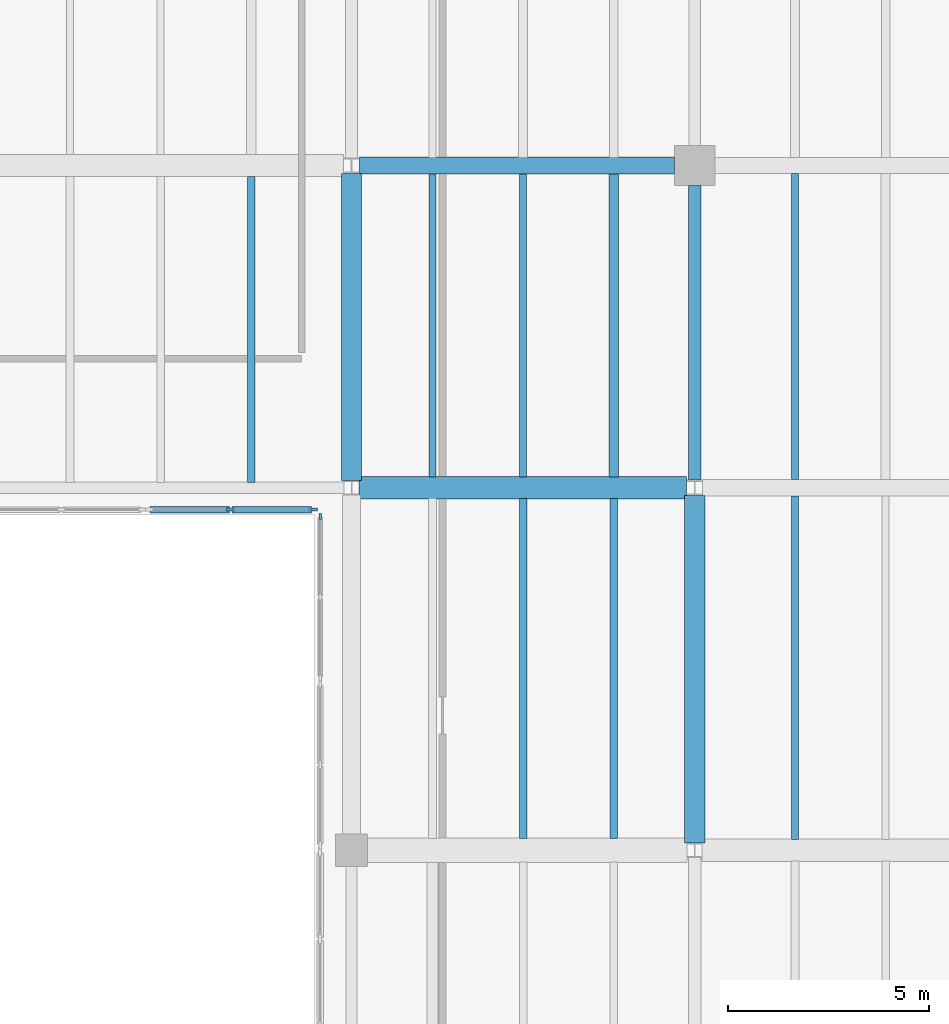
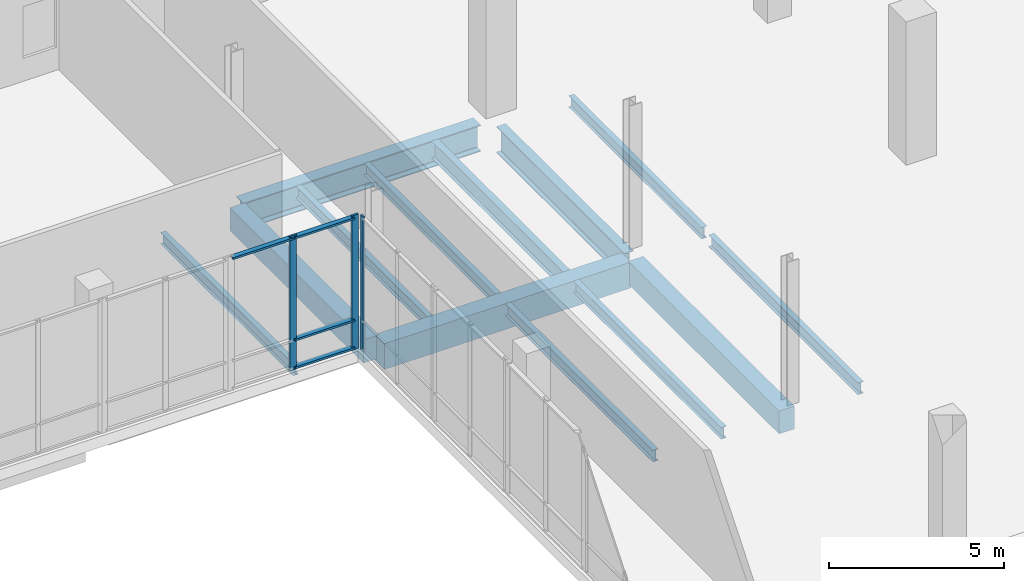
# One storey, part 58 of 88: 13 beams, 7 members, 2 elements without a shape of their own.
"""IFC4 building model written with IfcOpenShell, lengths in metres."""

from ifc_helpers import new_model, si_unit, direction, frame, origin, origin_2d, place, context, subcontext, project, spatial, rectangle, i_section, extrude, material, material_profile, profile_set, type_object, element, aggregate, save


model = new_model("IFC4")

# Units and contexts
model_context = context("Model", 3, precision=1e-05, world=origin(), true_north=direction((0.0, 1.0)))
body_context = subcontext(model_context, "Body", "Model", "MODEL_VIEW")
ifc_project = project(units=[si_unit("LENGTHUNIT", "METRE"), si_unit("AREAUNIT", "SQUARE_METRE"), si_unit("VOLUMEUNIT", "CUBIC_METRE"), si_unit("PLANEANGLEUNIT", "RADIAN"), si_unit("MASSUNIT", "GRAM", prefix="KILO")], contexts=[model_context])

# Site, building, storey
site_placement = place(None, origin())
site = spatial("IfcSite", under=ifc_project, at=site_placement, CompositionType="ELEMENT")
building_placement = place(site_placement, origin())
building = spatial("IfcBuilding", under=site, at=building_placement, Name="Trimount Lyric Opera House", CompositionType="ELEMENT")
storey_placement = place(building_placement, origin())
storey = spatial("IfcBuildingStorey", under=building, at=storey_placement, Name="L00", CompositionType="ELEMENT", Elevation=0.0)

# Beams
ifc_material_1 = material(Name="Steel ASTM A992 Grade 50", Category="steel")
ifc_material_profile_1 = material_profile(ifc_material_1, i_section(OverallWidth=0.4189453125, OverallDepth=0.927001953125, WebThickness=0.019287109375, FlangeThickness=0.031982421875, FilletRadius=0.02392578125, at=origin_2d()), Name="W36X231")
ifc_profile_set_1 = profile_set([ifc_material_profile_1], Name="Steel ASTM A992 Grade 50")
beam_type_1 = type_object("IfcBeamType", Name="B-02", PredefinedType="BEAM", material=ifc_profile_set_1)
beam_1_placement = place(storey_placement, frame((148.439453125, 110.0, -0.843505859375), z_axis=(1.0, 0.0, 0.0), x_axis=(0.0, 1.0, 0.0)))
element("IfcBeam", 1, at=beam_1_placement, inside=storey, type_object=beam_type_1, Name="L00 girder X-0215", PredefinedType="BEAM", context=body_context, shape_type="SweptSolid", body=[
    extrude(i_section(OverallWidth=0.4189453125, OverallDepth=0.927001953125, WebThickness=0.019287109375, FlangeThickness=0.031982421875, FilletRadius=0.02392578125, at=origin_2d()), origin(), (0.0, 0.0, 1.0), 7.820556640625),
])
ifc_material_2 = material(Name="Steel ASTM A992 Grade 50", Category="steel")
ifc_material_profile_2 = material_profile(ifc_material_2, i_section(OverallWidth=0.304931640625, OverallDepth=0.9189453125, WebThickness=0.017333984375, FlangeThickness=0.02783203125, FilletRadius=0.02001953125, at=origin_2d()), Name="W36X170")
ifc_profile_set_2 = profile_set([ifc_material_profile_2], Name="Steel ASTM A992 Grade 50")
beam_type_2 = type_object("IfcBeamType", Name="B-03", PredefinedType="BEAM", material=ifc_profile_set_2)
beam_2_placement = place(storey_placement, frame((156.760009765625, 102.193115234375, -0.839599609375), z_axis=(0.0, 1.0, 0.0), x_axis=(-1.0, 0.0, 0.0)))
element("IfcBeam", 2, at=beam_2_placement, inside=storey, type_object=beam_type_2, Name="L00 girder Y-0437", PredefinedType="BEAM", context=body_context, shape_type="SweptSolid", body=[
    extrude(i_section(OverallWidth=0.304931640625, OverallDepth=0.9189453125, WebThickness=0.017333984375, FlangeThickness=0.02783203125, FilletRadius=0.02001953125, at=origin_2d()), origin(), (0.0, 0.0, 1.0), 7.306884765625),
])
ifc_material_3 = material(Name="Concrete C40/50", Category="concrete")
ifc_material_profile_3 = material_profile(ifc_material_3, rectangle(XDim=0.550048828125, YDim=0.89990234375, at=origin_2d()), Name="RC550X900")
ifc_profile_set_3 = profile_set([ifc_material_profile_3], Name="Concrete C40/50")
beam_type_3 = type_object("IfcBeamType", Name="B-14", PredefinedType="BEAM", material=ifc_profile_set_3)
beam_3_placement = place(storey_placement, frame((148.426513671875, 102.0, -0.830078125), z_axis=(1.0, 0.0, 0.0), x_axis=(0.0, 1.0, 0.0)))
element("IfcBeam", 3, at=beam_3_placement, inside=storey, type_object=beam_type_3, Name="L00 girder X-0202", PredefinedType="BEAM", context=body_context, shape_type="SweptSolid", body=[
    extrude(rectangle(XDim=0.550048828125, YDim=0.89990234375, at=origin_2d()), origin(), (0.0, 0.0, 1.0), 8.134033203125),
])
ifc_material_4 = material(Name="Concrete C40/50", Category="concrete")
ifc_material_profile_4 = material_profile(ifc_material_4, rectangle(XDim=0.5, YDim=0.800048828125, at=origin_2d()), Name="RC500X800")
ifc_profile_set_4 = profile_set([ifc_material_profile_4], Name="Concrete C40/50")
beam_type_4 = type_object("IfcBeamType", Name="B-15", PredefinedType="BEAM", material=ifc_profile_set_4)
beam_4_placement = place(storey_placement, frame((148.239990234375, 102.18408203125, -0.780029296875), z_axis=(0.0, 1.0, 0.0), x_axis=(-1.0, 0.0, 0.0)))
element("IfcBeam", 4, at=beam_4_placement, inside=storey, type_object=beam_type_4, Name="L00 girder Y-0425", PredefinedType="BEAM", context=body_context, shape_type="SweptSolid", body=[
    extrude(rectangle(XDim=0.5, YDim=0.800048828125, at=origin_2d()), origin(), (0.0, 0.0, 1.0), 7.622802734375),
])
beam_5_placement = place(storey_placement, frame((156.760009765625, 93.18408203125, -0.780029296875), z_axis=(0.0, 1.0, 0.0), x_axis=(-1.0, 0.0, 0.0)))
element("IfcBeam", 5, at=beam_5_placement, inside=storey, type_object=beam_type_4, Name="L00 girder Y-0436", PredefinedType="BEAM", context=body_context, shape_type="SweptSolid", body=[
    extrude(rectangle(XDim=0.5, YDim=0.800048828125, at=origin_2d()), origin(), (0.0, 0.0, 1.0), 8.622802734375),
])
ifc_material_5 = material(Name="Steel ASTM A992 Grade 50", Category="steel")
ifc_material_profile_5 = material_profile(ifc_material_5, i_section(OverallWidth=0.22802734375, OverallDepth=0.60205078125, WebThickness=0.010498046875, FlangeThickness=0.014892578125, FilletRadius=0.012939453125, at=origin_2d()), Name="W24X68")
ifc_profile_set_5 = profile_set([ifc_material_profile_5], Name="Steel ASTM A992 Grade 50")
beam_type_5 = type_object("IfcBeamType", Name="J-01", PredefinedType="BEAM", material=ifc_profile_set_5)
beam_6_placement = place(storey_placement, frame((154.75, 102.27099609375, -0.680908203125), z_axis=(0.0, 1.0, 0.0), x_axis=(-1.0, 0.0, 0.0)))
element("IfcBeam", 6, at=beam_6_placement, inside=storey, type_object=beam_type_5, Name="L00 composite floor joist 0490", PredefinedType="BEAM", context=body_context, shape_type="SweptSolid", body=[
    extrude(i_section(OverallWidth=0.22802734375, OverallDepth=0.60205078125, WebThickness=0.010498046875, FlangeThickness=0.014892578125, FilletRadius=0.012939453125, at=origin_2d()), origin(), (0.0, 0.0, 1.0), 7.5234375),
])
ifc_material_6 = material(Name="Steel ASTM A992 Grade 50", Category="steel")
ifc_material_profile_6 = material_profile(ifc_material_6, i_section(OverallWidth=0.180908203125, OverallDepth=0.4169921875, WebThickness=0.010986328125, FlangeThickness=0.018310546875, FilletRadius=0.010986328125, at=origin_2d()), Name="W16X57")
ifc_profile_set_6 = profile_set([ifc_material_profile_6], Name="Steel ASTM A992 Grade 50")
beam_type_6 = type_object("IfcBeamType", Name="J-05", PredefinedType="BEAM", material=ifc_profile_set_6)
beam_7_placement = place(storey_placement, frame((152.5, 93.2958984375, -0.58837890625), z_axis=(0.0, 1.0, 0.0), x_axis=(-1.0, 0.0, 0.0)))
element("IfcBeam", 7, at=beam_7_placement, inside=storey, type_object=beam_type_6, Name="L00 composite floor joist 0486", PredefinedType="BEAM", context=body_context, shape_type="SweptSolid", body=[
    extrude(i_section(OverallWidth=0.180908203125, OverallDepth=0.4169921875, WebThickness=0.010986328125, FlangeThickness=0.018310546875, FilletRadius=0.010986328125, at=origin_2d()), origin(), (0.0, 0.0, 1.0), 8.43310546875),
])
beam_8_placement = place(storey_placement, frame((150.25, 102.27099609375, -0.58837890625), z_axis=(0.0, 1.0, 0.0), x_axis=(-1.0, 0.0, 0.0)))
element("IfcBeam", 8, at=beam_8_placement, inside=storey, type_object=beam_type_6, Name="L00 composite floor joist 0488", PredefinedType="BEAM", context=body_context, shape_type="SweptSolid", body=[
    extrude(i_section(OverallWidth=0.180908203125, OverallDepth=0.4169921875, WebThickness=0.010986328125, FlangeThickness=0.018310546875, FilletRadius=0.010986328125, at=origin_2d()), origin(), (0.0, 0.0, 1.0), 7.5234375),
])
beam_9_placement = place(storey_placement, frame((159.25, 93.27099609375, -0.58837890625), z_axis=(0.0, 1.0, 0.0), x_axis=(-1.0, 0.0, 0.0)))
element("IfcBeam", 9, at=beam_9_placement, inside=storey, type_object=beam_type_6, Name="L00 composite floor joist 0524", PredefinedType="BEAM", context=body_context, shape_type="SweptSolid", body=[
    extrude(i_section(OverallWidth=0.180908203125, OverallDepth=0.4169921875, WebThickness=0.010986328125, FlangeThickness=0.018310546875, FilletRadius=0.010986328125, at=origin_2d()), origin(), (0.0, 0.0, 1.0), 8.5234375),
])
ifc_material_7 = material(Name="Steel ASTM A992 Grade 50", Category="steel")
ifc_material_profile_7 = material_profile(ifc_material_7, i_section(OverallWidth=0.177978515625, OverallDepth=0.404052734375, WebThickness=0.007568359375, FlangeThickness=0.010986328125, FilletRadius=0.010009765625, at=origin_2d()), Name="W16X36")
ifc_profile_set_7 = profile_set([ifc_material_profile_7], Name="Steel ASTM A992 Grade 50")
beam_type_7 = type_object("IfcBeamType", Name="J-06", PredefinedType="BEAM", material=ifc_profile_set_7)
beam_10_placement = place(storey_placement, frame((145.75, 102.136962890625, -0.58203125), z_axis=(0.0, 1.0, 0.0), x_axis=(-1.0, 0.0, 0.0)))
element("IfcBeam", 10, at=beam_10_placement, inside=storey, type_object=beam_type_7, Name="L00 composite floor joist 0454", PredefinedType="BEAM", context=body_context, shape_type="SweptSolid", body=[
    extrude(i_section(OverallWidth=0.177978515625, OverallDepth=0.404052734375, WebThickness=0.007568359375, FlangeThickness=0.010986328125, FilletRadius=0.010009765625, at=origin_2d()), origin(), (0.0, 0.0, 1.0), 7.592041015625),
])
beam_11_placement = place(storey_placement, frame((154.75, 93.2958984375, -0.58203125), z_axis=(0.0, 1.0, 0.0), x_axis=(-1.0, 0.0, 0.0)))
element("IfcBeam", 11, at=beam_11_placement, inside=storey, type_object=beam_type_7, Name="L00 composite floor joist 0487", PredefinedType="BEAM", context=body_context, shape_type="SweptSolid", body=[
    extrude(i_section(OverallWidth=0.177978515625, OverallDepth=0.404052734375, WebThickness=0.007568359375, FlangeThickness=0.010986328125, FilletRadius=0.010009765625, at=origin_2d()), origin(), (0.0, 0.0, 1.0), 8.43310546875),
])
beam_12_placement = place(storey_placement, frame((152.5, 102.27099609375, -0.58203125), z_axis=(0.0, 1.0, 0.0), x_axis=(-1.0, 0.0, 0.0)))
element("IfcBeam", 12, at=beam_12_placement, inside=storey, type_object=beam_type_7, Name="L00 composite floor joist 0489", PredefinedType="BEAM", context=body_context, shape_type="SweptSolid", body=[
    extrude(i_section(OverallWidth=0.177978515625, OverallDepth=0.404052734375, WebThickness=0.007568359375, FlangeThickness=0.010986328125, FilletRadius=0.010009765625, at=origin_2d()), origin(), (0.0, 0.0, 1.0), 7.5234375),
])
beam_13_placement = place(storey_placement, frame((159.25, 102.20556640625, -0.58203125), z_axis=(0.0, 1.0, 0.0), x_axis=(-1.0, 0.0, 0.0)))
element("IfcBeam", 13, at=beam_13_placement, inside=storey, type_object=beam_type_7, Name="L00 composite floor joist 0527", PredefinedType="BEAM", context=body_context, shape_type="SweptSolid", body=[
    extrude(i_section(OverallWidth=0.177978515625, OverallDepth=0.404052734375, WebThickness=0.007568359375, FlangeThickness=0.010986328125, FilletRadius=0.010009765625, at=origin_2d()), origin(), (0.0, 0.0, 1.0), 7.597900390625),
])

# Curtain wall, members
ifc_material_8 = material(Name="Thermally Broken Aluminium and Low-E Glass", Category="aluminium")
curtain_wall_type = type_object("IfcCurtainWallType", Name="CW-03", PredefinedType="NOTDEFINED", material=ifc_material_8)
curtain_wall_1_placement = place(storey_placement, origin())
curtain_wall_1 = element("IfcCurtainWall", 14, at=curtain_wall_1_placement, inside=storey, type_object=curtain_wall_type, Name="L00 curtain wall 048", PredefinedType="NOTDEFINED")
ifc_material_9 = material(Name="Anodised Aluminium 6063-T6", Category="aluminium")
ifc_material_profile_8 = material_profile(ifc_material_9, rectangle(XDim=0.070068359375, YDim=0.219970703125, at=origin_2d()), Name="ALU-MULL-70X220")
ifc_profile_set_8 = profile_set([ifc_material_profile_8], Name="Anodised Aluminium 6063-T6")
member_type_1 = type_object("IfcMemberType", Name="ML-01", PredefinedType="MULLION", material=ifc_profile_set_8)
member_1_placement = place(storey_placement, frame((147.284912109375, 101.4599609375, 0.0), z_axis=(0.0, 0.0, 1.0), x_axis=(0.0, -1.0, 0.0)))
member_1 = element("IfcMember", 15, at=member_1_placement, type_object=member_type_1, Name="CW-03 mullion 1", PredefinedType="MULLION", context=body_context, shape_type="SweptSolid", body=[
    extrude(rectangle(XDim=0.070068359375, YDim=0.219970703125, at=origin_2d()), origin(), (0.0, 0.0, 1.0), 4.68994140625),
])
member_2_placement = place(storey_placement, frame((145.239990234375, 101.4599609375, 0.0), z_axis=(0.0, 0.0, 1.0), x_axis=(0.0, -1.0, 0.0)))
member_2 = element("IfcMember", 16, at=member_2_placement, type_object=member_type_1, Name="CW-03 mullion 2", PredefinedType="MULLION", context=body_context, shape_type="SweptSolid", body=[
    extrude(rectangle(XDim=0.070068359375, YDim=0.219970703125, at=origin_2d()), origin(), (0.0, 0.0, 1.0), 4.68994140625),
])

# Curtain wall, member
curtain_wall_2_placement = place(storey_placement, origin())
curtain_wall_2 = element("IfcCurtainWall", 17, at=curtain_wall_2_placement, inside=storey, type_object=curtain_wall_type, Name="L00 curtain wall 047", PredefinedType="NOTDEFINED")
ifc_material_10 = material(Name="Anodised Aluminium 6063-T6", Category="aluminium")
ifc_material_profile_9 = material_profile(ifc_material_10, rectangle(XDim=0.06005859375, YDim=0.14990234375, at=origin_2d()), Name="ALU-MULL-60X150")
ifc_profile_set_9 = profile_set([ifc_material_profile_9], Name="Anodised Aluminium 6063-T6")
member_type_2 = type_object("IfcMemberType", Name="ML-03", PredefinedType="MULLION", material=ifc_profile_set_9)
member_3_placement = place(storey_placement, frame((147.4599609375, 101.2900390625, 0.0), z_axis=(0.0, 0.0, 1.0), x_axis=(-1.0, 0.0, 0.0)))
member_3 = element("IfcMember", 18, at=member_3_placement, type_object=member_type_2, Name="CW-03 mullion 3", PredefinedType="MULLION", context=body_context, shape_type="SweptSolid", body=[
    extrude(rectangle(XDim=0.06005859375, YDim=0.14990234375, at=origin_2d()), origin(), (0.0, 0.0, 1.0), 4.68994140625),
])
aggregate(curtain_wall_2, [member_3])

# Member
ifc_material_11 = material(Name="Anodised Aluminium 6063-T6", Category="aluminium")
ifc_material_profile_10 = material_profile(ifc_material_11, rectangle(XDim=0.159912109375, YDim=0.070068359375, at=origin_2d()), Name="ALU-TRAN-70X160")
ifc_profile_set_10 = profile_set([ifc_material_profile_10], Name="Anodised Aluminium 6063-T6")
member_type_3 = type_object("IfcMemberType", Name="TR-01", PredefinedType="USERDEFINED", material=ifc_profile_set_10)
member_4_placement = place(storey_placement, frame((147.25, 101.4599609375, 0.080078125), z_axis=(-1.0, 0.0, 0.0), x_axis=(0.0, -1.0, 0.0)))
member_4 = element("IfcMember", 19, at=member_4_placement, type_object=member_type_3, Name="CW-03 transom 1.1", ObjectType="TRANSOM", PredefinedType="USERDEFINED", context=body_context, shape_type="SweptSolid", body=[
    extrude(rectangle(XDim=0.159912109375, YDim=0.070068359375, at=origin_2d()), origin(), (0.0, 0.0, 1.0), 1.97509765625),
])

member_5_placement = place(storey_placement, frame((147.25, 101.4599609375, 1.050048828125), z_axis=(-1.0, 0.0, 0.0), x_axis=(0.0, -1.0, 0.0)))
member_5 = element("IfcMember", 20, at=member_5_placement, type_object=member_type_3, Name="CW-03 transom 1.2", ObjectType="TRANSOM", PredefinedType="USERDEFINED", context=body_context, shape_type="SweptSolid", body=[
    extrude(rectangle(XDim=0.159912109375, YDim=0.070068359375, at=origin_2d()), origin(), (0.0, 0.0, 1.0), 1.97509765625),
])

member_6_placement = place(storey_placement, frame((147.25, 101.4599609375, 4.610107421875), z_axis=(-1.0, 0.0, 0.0), x_axis=(0.0, -1.0, 0.0)))
member_6 = element("IfcMember", 21, at=member_6_placement, type_object=member_type_3, Name="CW-03 transom 1.3", ObjectType="TRANSOM", PredefinedType="USERDEFINED", context=body_context, shape_type="SweptSolid", body=[
    extrude(rectangle(XDim=0.159912109375, YDim=0.070068359375, at=origin_2d()), origin(), (0.0, 0.0, 1.0), 1.97509765625),
])

member_7_placement = place(storey_placement, frame((145.205078125, 101.4599609375, 4.610107421875), z_axis=(-1.0, 0.0, 0.0), x_axis=(0.0, -1.0, 0.0)))
member_7 = element("IfcMember", 22, at=member_7_placement, type_object=member_type_3, Name="CW-03 transom 2.3", ObjectType="TRANSOM", PredefinedType="USERDEFINED", context=body_context, shape_type="SweptSolid", body=[
    extrude(rectangle(XDim=0.159912109375, YDim=0.070068359375, at=origin_2d()), origin(), (0.0, 0.0, 1.0), 1.97509765625),
])

aggregate(curtain_wall_1, [member_1, member_2, member_4, member_5, member_6, member_7])

save(model, "model.ifc")
